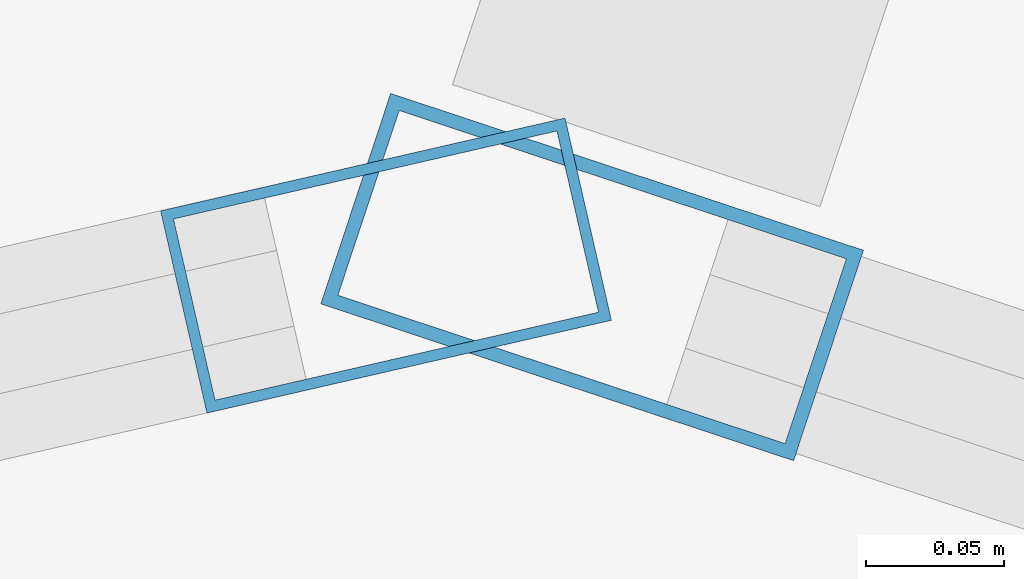
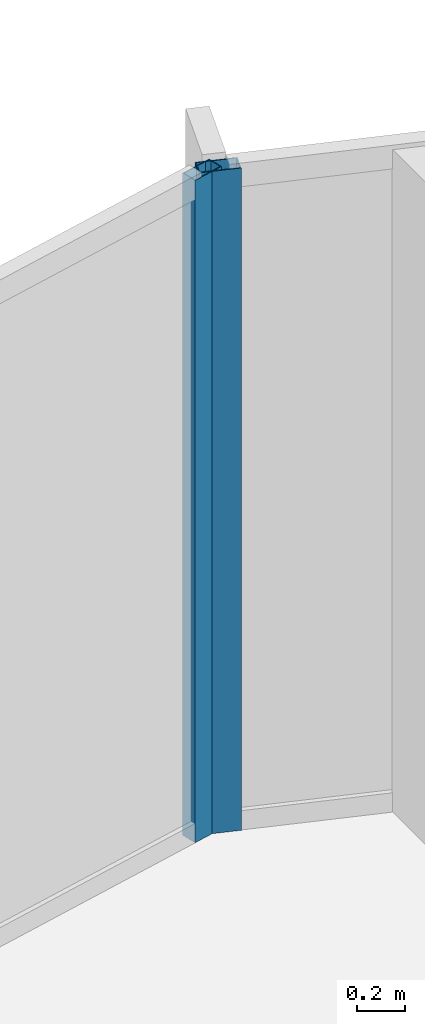
# One storey, part 22 of 34: 2 members, 2 elements without a shape of their own.
"""IFC4 building model written with IfcOpenShell, lengths in metres."""

import ifcopenshell
import ifcopenshell.guid

model = None  # the IFC model being written
_history = None  # IfcOwnerHistory: only IFC2X3 demands one
_inside = {}  # id of a spatial element -> (the spatial element, [elements in it])
_under = {}  # id of a project, library or spatial element -> (it, [spatial elements below it])
_declared = {}  # id of a project -> (the project, [libraries it declares])
_typed = {}  # id of a type object -> (the type object, [elements of that type])
_made_of = {}  # id of a material, layer set ... -> (it, [elements and type objects made of it])


def new_model(schema):
    """Start an empty IFC model of exactly this schema.

    Asked for "IFC4X3", IfcOpenShell would pick the latest addendum, in which some entities
    have other attributes; the version numbers below select the first issue.
    IFC2X3 requires an IfcOwnerHistory on every rooted entity: one is made here for all.
    """
    global model, _history
    if schema == "IFC4X3":
        model = ifcopenshell.file(schema_version=(4, 3, 0, 0))
    else:
        model = ifcopenshell.file(schema=schema)
    _inside.clear()
    _under.clear()
    _declared.clear()
    _typed.clear()
    _made_of.clear()
    _history = None
    if model.schema == "IFC2X3":
        org = make("IfcOrganization", Name="unknown")
        user = make(
            "IfcPersonAndOrganization",
            ThePerson=make("IfcPerson", FamilyName="unknown"),
            TheOrganization=org,
        )
        app = make(
            "IfcApplication",
            ApplicationDeveloper=org,
            Version="unknown",
            ApplicationFullName="unknown",
            ApplicationIdentifier="unknown",
        )
        _history = make(
            "IfcOwnerHistory",
            OwningUser=user,
            OwningApplication=app,
            ChangeAction="ADDED",
            CreationDate=0,
        )
    return model


def make(cls, **values):
    """One entity of the class cls with the attributes given. An attribute that is None is left unset."""
    return model.create_entity(
        cls, **{name: value for name, value in values.items() if value is not None}
    )


def rooted(cls, **values):
    """An entity with a GlobalId (a new one), such as an element, a storey or a relation."""
    return make(cls, GlobalId=ifcopenshell.guid.new(), OwnerHistory=_history, **values)


def si_unit(unit_type, name, prefix=None):
    """IfcSIUnit, for example si_unit("LENGTHUNIT", "METRE", prefix="MILLI")."""
    return make("IfcSIUnit", UnitType=unit_type, Prefix=prefix, Name=name)


def assignment(units):
    """IfcUnitAssignment: the units of a project."""
    return None if units is None else make("IfcUnitAssignment", Units=units)


def point(xyz):
    """IfcCartesianPoint."""
    return None if xyz is None else make("IfcCartesianPoint", Coordinates=xyz)


def direction(xyz):
    """IfcDirection."""
    return None if xyz is None else make("IfcDirection", DirectionRatios=xyz)


def frame(location, z_axis=None, x_axis=None):
    """IfcAxis2Placement3D, a coordinate frame: its origin and axes. An axis left out is left unset."""
    return make(
        "IfcAxis2Placement3D",
        Location=point(location),
        Axis=direction(z_axis),
        RefDirection=direction(x_axis),
    )


def frame_2d(location, x_axis=None):
    """IfcAxis2Placement2D, a coordinate frame in the plane: its origin and x axis."""
    return make(
        "IfcAxis2Placement2D", Location=point(location), RefDirection=direction(x_axis)
    )


def origin():
    """The frame at (0, 0, 0) with its axes left unset."""
    return frame((0.0, 0.0, 0.0))


def origin_2d():
    """The frame at (0, 0) in the plane with its x axis left unset."""
    return frame_2d((0.0, 0.0))


def place(relative_to, where):
    """IfcLocalPlacement: puts the frame where relative to a parent placement (None: the world)."""
    return make(
        "IfcLocalPlacement", PlacementRelTo=relative_to, RelativePlacement=where
    )


def context(
    kind, dimensions, precision=None, world=None, true_north=None, identifier=None
):
    """IfcGeometricRepresentationContext, for example the 3D "Model" context."""
    return make(
        "IfcGeometricRepresentationContext",
        ContextIdentifier=identifier,
        ContextType=kind,
        CoordinateSpaceDimension=dimensions,
        Precision=precision,
        WorldCoordinateSystem=world,
        TrueNorth=true_north,
    )


def subcontext(parent, identifier, kind, view, scale=None):
    """IfcGeometricRepresentationSubContext, for example "Body" below "Model"."""
    return make(
        "IfcGeometricRepresentationSubContext",
        ContextIdentifier=identifier,
        ContextType=kind,
        ParentContext=parent,
        TargetScale=scale,
        TargetView=view,
    )


def project(units=None, contexts=None):
    """IfcProject with its units and contexts."""
    return rooted(
        "IfcProject",
        Name="project",
        RepresentationContexts=contexts,
        UnitsInContext=assignment(units),
    )


def spatial(cls, under=None, at=None, **own):
    """A site, building, storey or space (cls), placed at a placement, below another one or the project."""
    s = rooted(cls, ObjectPlacement=at, **own)
    if under is not None:
        _under.setdefault(under.id(), (under, []))[1].append(s)
    return s


def profile(cls, at=None, kind="AREA", **sizes):
    """A parametric profile (cls). Its sizes go by their IFC names, for example OverallWidth=200.0."""
    return make(cls, ProfileType=kind, Position=at, **sizes)


def hollow_rectangle(**sizes):
    """IfcRectangleHollowProfileDef."""
    return profile("IfcRectangleHollowProfileDef", **sizes)


def extrude(swept, where, along, depth):
    """IfcExtrudedAreaSolid: the profile swept, set in the frame where, extruded along a direction by depth."""
    return make(
        "IfcExtrudedAreaSolid",
        SweptArea=swept,
        Position=where,
        ExtrudedDirection=direction(along),
        Depth=depth,
    )


def shape(context_of_items, identifier, shape_type, items):
    """IfcShapeRepresentation: the items that make up one representation, for example the "Body"."""
    return make(
        "IfcShapeRepresentation",
        ContextOfItems=context_of_items,
        RepresentationIdentifier=identifier,
        RepresentationType=shape_type,
        Items=items,
    )


def material(Name=None, Category=None):
    """IfcMaterial."""
    return make("IfcMaterial", Name=Name, Category=Category)


def layer(
    of_material, thickness, ventilated=None, Name=None, Category=None, Priority=None
):
    """IfcMaterialLayer: one layer of a wall or slab, of a material (None: an air gap)."""
    return make(
        "IfcMaterialLayer",
        Material=of_material,
        LayerThickness=thickness,
        IsVentilated=ventilated,
        Name=Name,
        Category=Category,
        Priority=Priority,
    )


def layer_set(layers, Name=None):
    """IfcMaterialLayerSet."""
    return make("IfcMaterialLayerSet", MaterialLayers=layers, LayerSetName=Name)


def material_profile(
    of_material, cross_section, Name=None, Category=None, Priority=None
):
    """IfcMaterialProfile: a cross section and its material."""
    return make(
        "IfcMaterialProfile",
        Name=Name,
        Material=of_material,
        Profile=cross_section,
        Priority=Priority,
        Category=Category,
    )


def profile_set(profiles, Name=None, composite=None):
    """IfcMaterialProfileSet."""
    return make(
        "IfcMaterialProfileSet",
        Name=Name,
        MaterialProfiles=profiles,
        CompositeProfile=composite,
    )


def made_of(thing, what):
    """Note that an element or type object is made of a material, layer set ...; save() writes the relation."""
    if what is not None:
        _made_of.setdefault(what.id(), (what, []))[1].append(thing)
    return thing


def type_object(cls, material=None, **own):
    """A type object (cls), such as IfcWallType, which elements share."""
    return made_of(rooted(cls, **own), material)


def element(
    cls,
    number,
    at=None,
    inside=None,
    cuts=None,
    type_object=None,
    material=None,
    context=None,
    identifier="Body",
    shape_type=None,
    held_by="IfcProductDefinitionShape",
    body=None,
    shapes=None,
    **own,
):
    """One element of the class cls, such as IfcWall. Its Tag is "e" and its number.

    at: its placement. inside: the storey or other place that contains it. cuts: it is an
    opening in that element (IfcRelVoidsElement). A single representation is given by context,
    identifier, shape_type and body (its items); several are given by shapes. held_by: the class
    of the entity that holds the representations. save() writes the other relations.
    """
    e = rooted(cls, Tag="e%d" % number, ObjectPlacement=at, **own)
    if body is not None:
        shapes = [shape(context, identifier, shape_type, body)]
    if shapes is not None:
        e.Representation = make(held_by, Representations=shapes)
    if inside is not None:
        _inside.setdefault(inside.id(), (inside, []))[1].append(e)
    if cuts is not None:
        rooted(
            "IfcRelVoidsElement", RelatingBuildingElement=cuts, RelatedOpeningElement=e
        )
    if type_object is not None:
        _typed.setdefault(type_object.id(), (type_object, []))[1].append(e)
    return made_of(e, material)


def aggregate(whole, parts):
    """IfcRelAggregates: a whole, such as a stair, and the parts it consists of."""
    return rooted("IfcRelAggregates", RelatingObject=whole, RelatedObjects=parts)


def save(model, path):
    """Write the relations noted so far, then the file.

    IfcRelAggregates (storeys below a building ...), IfcRelContainedInSpatialStructure (elements
    in a storey), IfcRelDefinesByType, IfcRelAssociatesMaterial and IfcRelDeclares: one each for
    every whole, place, type object, material and project.
    """
    for whole, parts in _under.values():
        aggregate(whole, parts)
    for where, things in _inside.values():
        rooted(
            "IfcRelContainedInSpatialStructure",
            RelatedElements=things,
            RelatingStructure=where,
        )
    for kind, things in _typed.values():
        rooted("IfcRelDefinesByType", RelatedObjects=things, RelatingType=kind)
    for what, things in _made_of.values():
        rooted("IfcRelAssociatesMaterial", RelatedObjects=things, RelatingMaterial=what)
    for by, libraries in _declared.values():
        rooted("IfcRelDeclares", RelatingContext=by, RelatedDefinitions=libraries)
    model.write(path)


model = new_model("IFC4")

# Units and contexts
model_context = context("Model", 3, precision=1e-05, world=origin(), true_north=direction((0.0, 1.0)))
body_context = subcontext(model_context, "Body", "Model", "MODEL_VIEW")
ifc_project = project(units=[si_unit("LENGTHUNIT", "METRE"), si_unit("AREAUNIT", "SQUARE_METRE"), si_unit("VOLUMEUNIT", "CUBIC_METRE"), si_unit("PLANEANGLEUNIT", "RADIAN"), si_unit("MASSUNIT", "GRAM", prefix="KILO")], contexts=[model_context])

# Site, building, storey
site_placement = place(None, origin())
site = spatial("IfcSite", under=ifc_project, at=site_placement, CompositionType="ELEMENT")
building_placement = place(site_placement, origin())
building = spatial("IfcBuilding", under=site, at=building_placement, Name="Kazevale Care Tower and Concert Hall", CompositionType="ELEMENT")
storey_placement = place(building_placement, frame((0.0, 0.0, 163.800048828125)))
storey = spatial("IfcBuildingStorey", under=building, at=storey_placement, Name="L43", CompositionType="ELEMENT", Elevation=163.800048828125)

# Curtain wall, member
ifc_material_1 = material(Name="Aluminium 6063-T6 and Low-E Glass", Category="aluminium")
ifc_layer_1 = layer(ifc_material_1, 0.179931640625)
ifc_layer_set_1 = layer_set([ifc_layer_1], Name="Aluminium 6063-T6 and Low-E Glass")
curtain_wall_type_1 = type_object("IfcCurtainWallType", Name="Convex Checkerboard Finned Curtain Wall CW-2", PredefinedType="NOTDEFINED", material=ifc_layer_set_1)
curtain_wall_1_placement = place(storey_placement, origin())
curtain_wall_1 = element("IfcCurtainWall", 1, at=curtain_wall_1_placement, inside=storey, type_object=curtain_wall_type_1, Name="cw:L43:f16", PredefinedType="NOTDEFINED")
ifc_material_2 = material(Name="Aluminium 6063-T6", Category="aluminium")
ifc_material_profile_1 = material_profile(ifc_material_2, hollow_rectangle(XDim=0.080078125, YDim=0.179931640625, WallThickness=0.0048828125, at=origin_2d()), Name="ALU80x180x5")
ifc_profile_set_1 = profile_set([ifc_material_profile_1], Name="Aluminium 6063-T6")
member_type_1 = type_object("IfcMemberType", Name="CW-2 Mullion ALU80x180x5", PredefinedType="MULLION", material=ifc_profile_set_1)
member_1_placement = place(storey_placement, frame((44.995849609375, 66.75537109375, 0.0), z_axis=(0.0, 0.0, 1.0), x_axis=(0.314868185785, 0.949135409507, 0.0)))
member_1 = element("IfcMember", 2, at=member_1_placement, type_object=member_type_1, Name="CW-2 mullion 1", PredefinedType="MULLION", context=body_context, shape_type="SweptSolid", body=[
    extrude(hollow_rectangle(XDim=0.080078125, YDim=0.179931640625, WallThickness=0.0048828125, at=origin_2d()), origin(), (0.0, 0.0, 1.0), 3.35986328125),
])
aggregate(curtain_wall_1, [member_1])

ifc_layer_2 = layer(ifc_material_1, 0.179931640625)
ifc_layer_set_2 = layer_set([ifc_layer_2], Name="Aluminium 6063-T6 and Low-E Glass")
curtain_wall_type_2 = type_object("IfcCurtainWallType", Name="Convex Recessed Sunroom Curtain Wall CW-3", PredefinedType="NOTDEFINED", material=ifc_layer_set_2)
curtain_wall_2_placement = place(storey_placement, origin())
curtain_wall_2 = element("IfcCurtainWall", 3, at=curtain_wall_2_placement, inside=storey, type_object=curtain_wall_type_2, Name="cw:L43:f15", PredefinedType="NOTDEFINED")
ifc_material_profile_2 = material_profile(ifc_material_2, hollow_rectangle(XDim=0.074951171875, YDim=0.14990234375, WallThickness=0.00390625, at=origin_2d()), Name="ALU75x150x4")
ifc_profile_set_2 = profile_set([ifc_material_profile_2], Name="Aluminium 6063-T6")
member_type_2 = type_object("IfcMemberType", Name="CW-3 Mullion ALU75x150x4", PredefinedType="MULLION", material=ifc_profile_set_2)
member_2_placement = place(storey_placement, frame((44.92138671875, 66.759521484375, 0.0), z_axis=(0.0, 0.0, 1.0), x_axis=(-0.223567329284, 0.974688488327, 0.0)))
member_2 = element("IfcMember", 4, at=member_2_placement, type_object=member_type_2, Name="CW-3 mullion 2", PredefinedType="MULLION", context=body_context, shape_type="SweptSolid", body=[
    extrude(hollow_rectangle(XDim=0.074951171875, YDim=0.14990234375, WallThickness=0.00390625, at=origin_2d()), origin(), (0.0, 0.0, 1.0), 3.35986328125),
])
aggregate(curtain_wall_2, [member_2])

save(model, "model.ifc")
